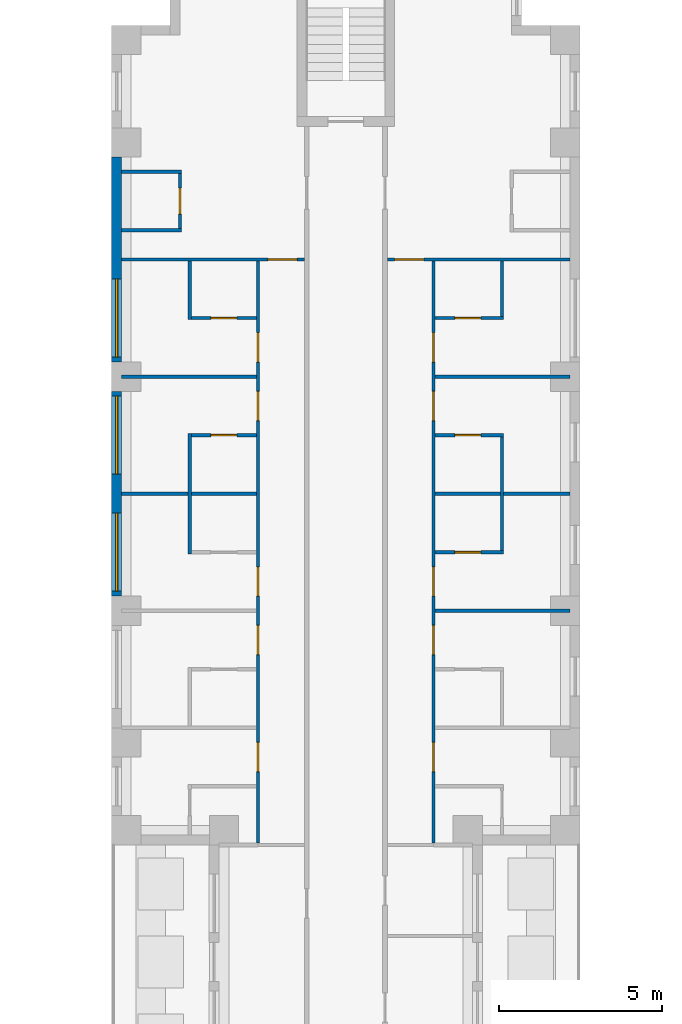
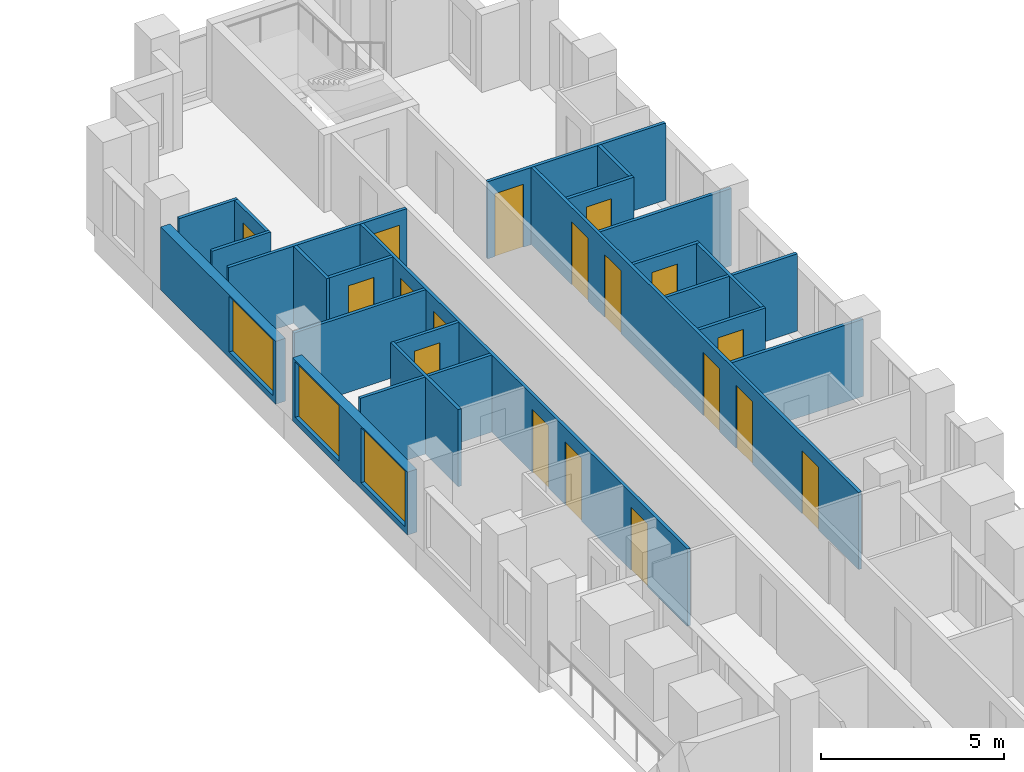
# One storey, part 11 of 15: 23 walls, 18 doors, 3 windows, 21 openings.
"""IFC4 building model written with IfcOpenShell, lengths in metres."""

from ifc_helpers import new_model, si_unit, direction, frame, frame_2d, origin, place, context, subcontext, project, spatial, rectangle, extrude, material, layer, layer_set, type_object, element, fill, save


model = new_model("IFC4")

# Units and contexts
model_context = context("Model", 3, precision=1e-05, world=origin(), true_north=direction((0.0, 1.0)))
body_context = subcontext(model_context, "Body", "Model", "MODEL_VIEW")
ifc_project = project(units=[si_unit("LENGTHUNIT", "METRE"), si_unit("AREAUNIT", "SQUARE_METRE"), si_unit("VOLUMEUNIT", "CUBIC_METRE"), si_unit("PLANEANGLEUNIT", "RADIAN"), si_unit("MASSUNIT", "GRAM", prefix="KILO")], contexts=[model_context])

# Site, building, storey
site_placement = place(None, origin())
site = spatial("IfcSite", under=ifc_project, at=site_placement, CompositionType="ELEMENT")
building_placement = place(site_placement, origin())
building = spatial("IfcBuilding", under=site, at=building_placement, Name="Fustian Cross Tower", CompositionType="ELEMENT")
storey_placement = place(building_placement, frame((0.0, 0.0, 17.699951171875)))
storey = spatial("IfcBuildingStorey", under=building, at=storey_placement, Name="L04", CompositionType="ELEMENT", Elevation=17.699951171875)

# Walls
ifc_material_1 = material(Name="Plasterboard on steel stud", Category="steel")
ifc_layer_1 = layer(ifc_material_1, 0.10009765625)
ifc_layer_set_1 = layer_set([ifc_layer_1], Name="Plasterboard on steel stud")
wall_type_1 = type_object("IfcWallType", Name="PARTITION 100 STUD", PredefinedType="PARTITIONING", material=ifc_layer_set_1)
for number, where, z_axis, x_axis, name in (
    (1, (-6.89990234375, 25.199951171875, 0.0), (0.0, 0.0, 1.0), (1.0, 0.0, 0.0), "Partition 19"),
    (2, (-6.89990234375, 28.800048828125, 0.0), (0.0, 0.0, 1.0), (1.0, 0.0, 0.0), "Partition 20"),
):
    element("IfcWall", number, at=place(storey_placement, frame(where, z_axis=z_axis, x_axis=x_axis)), inside=storey, type_object=wall_type_1, Name=name, PredefinedType="PARTITIONING", context=body_context, shape_type="SweptSolid", body=[
        extrude(rectangle(XDim=4.14990234375, YDim=0.10009765625, at=frame_2d((2.074951171875, 0.0))), origin(), (0.0, 0.0, 1.0), 2.574951171875),
    ])

# Wall, opening, door
wall_1_placement = place(storey_placement, frame((-6.89990234375, 32.39990234375, 0.0), z_axis=(0.0, 0.0, 1.0), x_axis=(1.0, 0.0, 0.0)))
wall_1 = element("IfcWall", 3, at=wall_1_placement, inside=storey, type_object=wall_type_1, Name="Partition 21", PredefinedType="PARTITIONING", context=body_context, shape_type="SweptSolid", body=[
    extrude(rectangle(XDim=5.625, YDim=0.10009765625, at=frame_2d((2.8125, 0.0))), origin(), (0.0, 0.0, 1.0), 2.574951171875),
])
opening_1_placement = place(wall_1_placement, frame((4.5, 0.0, 0.0)))
opening_1 = element("IfcOpeningElement", 4, at=opening_1_placement, cuts=wall_1, Name="Opening D04027", PredefinedType="OPENING", context=body_context, shape_type="SweptSolid", body=[
    extrude(rectangle(XDim=0.89990234375, YDim=2.10009765625, at=frame_2d((0.449951171875, 1.050048828125))), frame((0.0, 0.06005859375, 0.0), z_axis=(0.0, -1.0, 0.0), x_axis=(1.0, 0.0, 0.0)), (0.0, 0.0, 1.0), 0.1201171875),
])
ifc_material_2 = material(Name="Painted timber", Category="wood")
door_type_1 = type_object("IfcDoorType", Name="SWING DOOR 900", OperationType="SINGLE_SWING_LEFT", PredefinedType="DOOR", material=ifc_material_2)
door_1_placement = place(opening_1_placement, frame((0.89990234375, 0.0, 0.0), z_axis=(0.0, 0.0, 1.0), x_axis=(-1.0, 0.0, 0.0)))
door_1 = element("IfcDoor", 5, at=door_1_placement, inside=storey, type_object=door_type_1, Name="Door D04027", OperationType="SINGLE_SWING_RIGHT", OverallHeight=2.10009765625, OverallWidth=0.89990234375, PredefinedType="DOOR", context=body_context, shape_type="SweptSolid", body=[
    extrude(rectangle(XDim=0.89990234375, YDim=2.10009765625, at=frame_2d((0.449951171875, 1.050048828125))), frame((0.0, 0.02490234375, 0.0), z_axis=(0.0, -1.0, 0.0), x_axis=(1.0, 0.0, 0.0)), (0.0, 0.0, 1.0), 0.050048828125),
])
fill(opening_1, door_1)

# Walls
for number, where, z_axis, x_axis, name in (
    (6, (-6.89990234375, 33.300048828125, 0.0), (0.0, 0.0, 1.0), (1.0, 0.0, 0.0), "Partition 22"),
    (7, (-6.89990234375, 35.10009765625, 0.0), (0.0, 0.0, 1.0), (1.0, 0.0, 0.0), "Partition 23"),
):
    element("IfcWall", number, at=place(storey_placement, frame(where, z_axis=z_axis, x_axis=x_axis)), inside=storey, type_object=wall_type_1, Name=name, PredefinedType="PARTITIONING", context=body_context, shape_type="SweptSolid", body=[
        extrude(rectangle(XDim=1.849853515625, YDim=0.10009765625, at=frame_2d((0.9248046875, 0.0))), origin(), (0.0, 0.0, 1.0), 2.574951171875),
    ])

# Wall, opening, door
wall_2_placement = place(storey_placement, frame((-5.10009765625, 33.35009765625, 0.0), z_axis=(0.0, 0.0, 1.0), x_axis=(0.0, 1.0, 0.0)))
wall_2 = element("IfcWall", 8, at=wall_2_placement, inside=storey, type_object=wall_type_1, Name="Partition 25", PredefinedType="PARTITIONING", context=body_context, shape_type="SweptSolid", body=[
    extrude(rectangle(XDim=1.699951171875, YDim=0.10009765625, at=frame_2d((0.85009765625, 0.0))), origin(), (0.0, 0.0, 1.0), 2.574951171875),
])
opening_2_placement = place(wall_2_placement, frame((0.449951171875, 0.0, 0.0)))
opening_2 = element("IfcOpeningElement", 9, at=opening_2_placement, cuts=wall_2, Name="Opening D04020", PredefinedType="OPENING", context=body_context, shape_type="SweptSolid", body=[
    extrude(rectangle(XDim=0.800048828125, YDim=2.10009765625, at=frame_2d((0.39990234375, 1.050048828125))), frame((0.0, 0.06005859375, 0.0), z_axis=(0.0, -1.0, 0.0), x_axis=(1.0, 0.0, 0.0)), (0.0, 0.0, 1.0), 0.1201171875),
])
ifc_material_3 = material(Name="Painted timber", Category="wood")
door_type_2 = type_object("IfcDoorType", Name="SWING DOOR 800", OperationType="SINGLE_SWING_LEFT", PredefinedType="DOOR", material=ifc_material_3)
door_2_placement = place(opening_2_placement, origin())
door_2 = element("IfcDoor", 10, at=door_2_placement, inside=storey, type_object=door_type_2, Name="Door D04020", OperationType="SINGLE_SWING_RIGHT", OverallHeight=2.10009765625, OverallWidth=0.800048828125, PredefinedType="DOOR", context=body_context, shape_type="SweptSolid", body=[
    extrude(rectangle(XDim=0.800048828125, YDim=2.10009765625, at=frame_2d((0.39990234375, 1.050048828125))), frame((0.0, 0.02490234375, 0.0), z_axis=(0.0, -1.0, 0.0), x_axis=(1.0, 0.0, 0.0)), (0.0, 0.0, 1.0), 0.050048828125),
])
fill(opening_2, door_2)

# Wall
wall_3_placement = place(storey_placement, frame((-4.800048828125, 23.35009765625, 0.0), z_axis=(0.0, 0.0, 1.0), x_axis=(0.0, 1.0, 0.0)))
element("IfcWall", 11, at=wall_3_placement, inside=storey, type_object=wall_type_1, Name="Partition 39", PredefinedType="PARTITIONING", context=body_context, shape_type="SweptSolid", body=[
    extrude(rectangle(XDim=3.699951171875, YDim=0.10009765625, at=frame_2d((1.85009765625, 0.0))), origin(), (0.0, 0.0, 1.0), 2.574951171875),
])

# Wall, opening, door
wall_4_placement = place(storey_placement, frame((-4.75, 27.0, 0.0), z_axis=(0.0, 0.0, 1.0), x_axis=(1.0, 0.0, 0.0)))
wall_4 = element("IfcWall", 12, at=wall_4_placement, inside=storey, type_object=wall_type_1, Name="Partition 41", PredefinedType="PARTITIONING", context=body_context, shape_type="SweptSolid", body=[
    extrude(rectangle(XDim=2.0, YDim=0.10009765625, at=frame_2d((1.0, 0.0))), origin(), (0.0, 0.0, 1.0), 2.574951171875),
])
opening_3_placement = place(wall_4_placement, frame((0.60009765625, 0.0, 0.0)))
opening_3 = element("IfcOpeningElement", 13, at=opening_3_placement, cuts=wall_4, Name="Opening D04031", PredefinedType="OPENING", context=body_context, shape_type="SweptSolid", body=[
    extrude(rectangle(XDim=0.800048828125, YDim=2.10009765625, at=frame_2d((0.39990234375, 1.050048828125))), frame((0.0, 0.06005859375, 0.0), z_axis=(0.0, -1.0, 0.0), x_axis=(1.0, 0.0, 0.0)), (0.0, 0.0, 1.0), 0.1201171875),
])
door_3_placement = place(opening_3_placement, frame((0.800048828125, 0.0, 0.0), z_axis=(0.0, 0.0, 1.0), x_axis=(-1.0, 0.0, 0.0)))
door_3 = element("IfcDoor", 14, at=door_3_placement, inside=storey, type_object=door_type_2, Name="Door D04031", OperationType="SINGLE_SWING_RIGHT", OverallHeight=2.10009765625, OverallWidth=0.800048828125, PredefinedType="DOOR", context=body_context, shape_type="SweptSolid", body=[
    extrude(rectangle(XDim=0.800048828125, YDim=2.10009765625, at=frame_2d((0.39990234375, 1.050048828125))), frame((0.0, 0.02490234375, 0.0), z_axis=(0.0, -1.0, 0.0), x_axis=(1.0, 0.0, 0.0)), (0.0, 0.0, 1.0), 0.050048828125),
])
fill(opening_3, door_3)

# Wall
wall_5_placement = place(storey_placement, frame((-4.800048828125, 30.550048828125, 0.0), z_axis=(0.0, 0.0, 1.0), x_axis=(0.0, 1.0, 0.0)))
element("IfcWall", 15, at=wall_5_placement, inside=storey, type_object=wall_type_1, Name="Partition 42", PredefinedType="PARTITIONING", context=body_context, shape_type="SweptSolid", body=[
    extrude(rectangle(XDim=1.800048828125, YDim=0.10009765625, at=frame_2d((0.89990234375, 0.0))), origin(), (0.0, 0.0, 1.0), 2.574951171875),
])

# Wall, opening, door
wall_6_placement = place(storey_placement, frame((-4.75, 30.60009765625, 0.0), z_axis=(0.0, 0.0, 1.0), x_axis=(1.0, 0.0, 0.0)))
wall_6 = element("IfcWall", 16, at=wall_6_placement, inside=storey, type_object=wall_type_1, Name="Partition 43", PredefinedType="PARTITIONING", context=body_context, shape_type="SweptSolid", body=[
    extrude(rectangle(XDim=2.0, YDim=0.10009765625, at=frame_2d((1.0, 0.0))), origin(), (0.0, 0.0, 1.0), 2.574951171875),
])
opening_4_placement = place(wall_6_placement, frame((0.60009765625, 0.0, 0.0)))
opening_4 = element("IfcOpeningElement", 17, at=opening_4_placement, cuts=wall_6, Name="Opening D04032", PredefinedType="OPENING", context=body_context, shape_type="SweptSolid", body=[
    extrude(rectangle(XDim=0.800048828125, YDim=2.10009765625, at=frame_2d((0.39990234375, 1.050048828125))), frame((0.0, 0.06005859375, 0.0), z_axis=(0.0, -1.0, 0.0), x_axis=(1.0, 0.0, 0.0)), (0.0, 0.0, 1.0), 0.1201171875),
])
door_4_placement = place(opening_4_placement, origin())
door_4 = element("IfcDoor", 18, at=door_4_placement, inside=storey, type_object=door_type_2, Name="Door D04032", OperationType="SINGLE_SWING_LEFT", OverallHeight=2.10009765625, OverallWidth=0.800048828125, PredefinedType="DOOR", context=body_context, shape_type="SweptSolid", body=[
    extrude(rectangle(XDim=0.800048828125, YDim=2.10009765625, at=frame_2d((0.39990234375, 1.050048828125))), frame((0.0, 0.02490234375, 0.0), z_axis=(0.0, -1.0, 0.0), x_axis=(1.0, 0.0, 0.0)), (0.0, 0.0, 1.0), 0.050048828125),
])
fill(opening_4, door_4)

# Wall, openings, doors
wall_7_placement = place(storey_placement, frame((-2.699951171875, 14.46240234375, 0.0), z_axis=(0.0, 0.0, 1.0), x_axis=(0.0, 1.0, 0.0)))
wall_7 = element("IfcWall", 19, at=wall_7_placement, inside=storey, type_object=wall_type_1, Name="Partition 52", PredefinedType="PARTITIONING", context=body_context, shape_type="SweptSolid", body=[
    extrude(rectangle(XDim=17.8876953125, YDim=0.10009765625, at=frame_2d((8.94384765625, 0.0))), origin(), (0.0, 0.0, 1.0), 2.574951171875),
])
opening_5_placement = place(wall_7_placement, frame((2.1875, 0.0, 0.0)))
opening_5 = element("IfcOpeningElement", 20, at=opening_5_placement, cuts=wall_7, Name="Opening D04022", PredefinedType="OPENING", context=body_context, shape_type="SweptSolid", body=[
    extrude(rectangle(XDim=0.89990234375, YDim=2.10009765625, at=frame_2d((0.449951171875, 1.050048828125))), frame((0.0, 0.06005859375, 0.0), z_axis=(0.0, -1.0, 0.0), x_axis=(1.0, 0.0, 0.0)), (0.0, 0.0, 1.0), 0.1201171875),
])
opening_6_placement = place(wall_7_placement, frame((5.78759765625, 0.0, 0.0)))
opening_6 = element("IfcOpeningElement", 21, at=opening_6_placement, cuts=wall_7, Name="Opening D04023", PredefinedType="OPENING", context=body_context, shape_type="SweptSolid", body=[
    extrude(rectangle(XDim=0.89990234375, YDim=2.10009765625, at=frame_2d((0.449951171875, 1.050048828125))), frame((0.0, 0.06005859375, 0.0), z_axis=(0.0, -1.0, 0.0), x_axis=(1.0, 0.0, 0.0)), (0.0, 0.0, 1.0), 0.1201171875),
])
opening_7_placement = place(wall_7_placement, frame((7.58740234375, 0.0, 0.0)))
opening_7 = element("IfcOpeningElement", 22, at=opening_7_placement, cuts=wall_7, Name="Opening D04024", PredefinedType="OPENING", context=body_context, shape_type="SweptSolid", body=[
    extrude(rectangle(XDim=0.89990234375, YDim=2.10009765625, at=frame_2d((0.449951171875, 1.050048828125))), frame((0.0, 0.06005859375, 0.0), z_axis=(0.0, -1.0, 0.0), x_axis=(1.0, 0.0, 0.0)), (0.0, 0.0, 1.0), 0.1201171875),
])
opening_8_placement = place(wall_7_placement, frame((12.987548828125, 0.0, 0.0)))
opening_8 = element("IfcOpeningElement", 23, at=opening_8_placement, cuts=wall_7, Name="Opening D04025", PredefinedType="OPENING", context=body_context, shape_type="SweptSolid", body=[
    extrude(rectangle(XDim=0.89990234375, YDim=2.10009765625, at=frame_2d((0.449951171875, 1.050048828125))), frame((0.0, 0.06005859375, 0.0), z_axis=(0.0, -1.0, 0.0), x_axis=(1.0, 0.0, 0.0)), (0.0, 0.0, 1.0), 0.1201171875),
])
opening_9_placement = place(wall_7_placement, frame((14.78759765625, 0.0, 0.0)))
opening_9 = element("IfcOpeningElement", 24, at=opening_9_placement, cuts=wall_7, Name="Opening D04026", PredefinedType="OPENING", context=body_context, shape_type="SweptSolid", body=[
    extrude(rectangle(XDim=0.89990234375, YDim=2.10009765625, at=frame_2d((0.449951171875, 1.050048828125))), frame((0.0, 0.06005859375, 0.0), z_axis=(0.0, -1.0, 0.0), x_axis=(1.0, 0.0, 0.0)), (0.0, 0.0, 1.0), 0.1201171875),
])
door_5_placement = place(opening_5_placement, origin())
door_5 = element("IfcDoor", 25, at=door_5_placement, inside=storey, type_object=door_type_1, Name="Door D04022", OperationType="SINGLE_SWING_LEFT", OverallHeight=2.10009765625, OverallWidth=0.89990234375, PredefinedType="DOOR", context=body_context, shape_type="SweptSolid", body=[
    extrude(rectangle(XDim=0.89990234375, YDim=2.10009765625, at=frame_2d((0.449951171875, 1.050048828125))), frame((0.0, 0.02490234375, 0.0), z_axis=(0.0, -1.0, 0.0), x_axis=(1.0, 0.0, 0.0)), (0.0, 0.0, 1.0), 0.050048828125),
])
fill(opening_5, door_5)
door_6_placement = place(opening_6_placement, origin())
door_6 = element("IfcDoor", 26, at=door_6_placement, inside=storey, type_object=door_type_1, Name="Door D04023", OperationType="SINGLE_SWING_LEFT", OverallHeight=2.10009765625, OverallWidth=0.89990234375, PredefinedType="DOOR", context=body_context, shape_type="SweptSolid", body=[
    extrude(rectangle(XDim=0.89990234375, YDim=2.10009765625, at=frame_2d((0.449951171875, 1.050048828125))), frame((0.0, 0.02490234375, 0.0), z_axis=(0.0, -1.0, 0.0), x_axis=(1.0, 0.0, 0.0)), (0.0, 0.0, 1.0), 0.050048828125),
])
fill(opening_6, door_6)
door_7_placement = place(opening_7_placement, origin())
door_7 = element("IfcDoor", 27, at=door_7_placement, inside=storey, type_object=door_type_1, Name="Door D04024", OperationType="SINGLE_SWING_LEFT", OverallHeight=2.10009765625, OverallWidth=0.89990234375, PredefinedType="DOOR", context=body_context, shape_type="SweptSolid", body=[
    extrude(rectangle(XDim=0.89990234375, YDim=2.10009765625, at=frame_2d((0.449951171875, 1.050048828125))), frame((0.0, 0.02490234375, 0.0), z_axis=(0.0, -1.0, 0.0), x_axis=(1.0, 0.0, 0.0)), (0.0, 0.0, 1.0), 0.050048828125),
])
fill(opening_7, door_7)
door_8_placement = place(opening_8_placement, origin())
door_8 = element("IfcDoor", 28, at=door_8_placement, inside=storey, type_object=door_type_1, Name="Door D04025", OperationType="SINGLE_SWING_LEFT", OverallHeight=2.10009765625, OverallWidth=0.89990234375, PredefinedType="DOOR", context=body_context, shape_type="SweptSolid", body=[
    extrude(rectangle(XDim=0.89990234375, YDim=2.10009765625, at=frame_2d((0.449951171875, 1.050048828125))), frame((0.0, 0.02490234375, 0.0), z_axis=(0.0, -1.0, 0.0), x_axis=(1.0, 0.0, 0.0)), (0.0, 0.0, 1.0), 0.050048828125),
])
fill(opening_8, door_8)
door_9_placement = place(opening_9_placement, origin())
door_9 = element("IfcDoor", 29, at=door_9_placement, inside=storey, type_object=door_type_1, Name="Door D04026", OperationType="SINGLE_SWING_LEFT", OverallHeight=2.10009765625, OverallWidth=0.89990234375, PredefinedType="DOOR", context=body_context, shape_type="SweptSolid", body=[
    extrude(rectangle(XDim=0.89990234375, YDim=2.10009765625, at=frame_2d((0.449951171875, 1.050048828125))), frame((0.0, 0.02490234375, 0.0), z_axis=(0.0, -1.0, 0.0), x_axis=(1.0, 0.0, 0.0)), (0.0, 0.0, 1.0), 0.050048828125),
])
fill(opening_9, door_9)

# Wall, opening, door
wall_8_placement = place(storey_placement, frame((1.27490234375, 32.39990234375, 0.0), z_axis=(0.0, 0.0, 1.0), x_axis=(1.0, 0.0, 0.0)))
wall_8 = element("IfcWall", 30, at=wall_8_placement, inside=storey, type_object=wall_type_1, Name="Partition 69", PredefinedType="PARTITIONING", context=body_context, shape_type="SweptSolid", body=[
    extrude(rectangle(XDim=5.625, YDim=0.10009765625, at=frame_2d((2.8125, 0.0))), origin(), (0.0, 0.0, 1.0), 2.574951171875),
])
opening_10_placement = place(wall_8_placement, frame((0.22509765625, 0.0, 0.0)))
opening_10 = element("IfcOpeningElement", 31, at=opening_10_placement, cuts=wall_8, Name="Opening D04037", PredefinedType="OPENING", context=body_context, shape_type="SweptSolid", body=[
    extrude(rectangle(XDim=0.89990234375, YDim=2.10009765625, at=frame_2d((0.449951171875, 1.050048828125))), frame((0.0, 0.06005859375, 0.0), z_axis=(0.0, -1.0, 0.0), x_axis=(1.0, 0.0, 0.0)), (0.0, 0.0, 1.0), 0.1201171875),
])
door_10_placement = place(opening_10_placement, frame((0.89990234375, 0.0, 0.0), z_axis=(0.0, 0.0, 1.0), x_axis=(-1.0, 0.0, 0.0)))
door_10 = element("IfcDoor", 32, at=door_10_placement, inside=storey, type_object=door_type_1, Name="Door D04037", OperationType="SINGLE_SWING_RIGHT", OverallHeight=2.10009765625, OverallWidth=0.89990234375, PredefinedType="DOOR", context=body_context, shape_type="SweptSolid", body=[
    extrude(rectangle(XDim=0.89990234375, YDim=2.10009765625, at=frame_2d((0.449951171875, 1.050048828125))), frame((0.0, 0.02490234375, 0.0), z_axis=(0.0, -1.0, 0.0), x_axis=(1.0, 0.0, 0.0)), (0.0, 0.0, 1.0), 0.050048828125),
])
fill(opening_10, door_10)

# Wall, openings, doors
wall_9_placement = place(storey_placement, frame((2.699951171875, 14.46240234375, 0.0), z_axis=(0.0, 0.0, 1.0), x_axis=(0.0, 1.0, 0.0)))
wall_9 = element("IfcWall", 33, at=wall_9_placement, inside=storey, type_object=wall_type_1, Name="Partition 74", PredefinedType="PARTITIONING", context=body_context, shape_type="SweptSolid", body=[
    extrude(rectangle(XDim=17.8876953125, YDim=0.10009765625, at=frame_2d((8.94384765625, 0.0))), origin(), (0.0, 0.0, 1.0), 2.574951171875),
])
opening_11_placement = place(wall_9_placement, frame((2.1875, 0.0, 0.0)))
opening_11 = element("IfcOpeningElement", 34, at=opening_11_placement, cuts=wall_9, Name="Opening D04038", PredefinedType="OPENING", context=body_context, shape_type="SweptSolid", body=[
    extrude(rectangle(XDim=0.89990234375, YDim=2.10009765625, at=frame_2d((0.449951171875, 1.050048828125))), frame((0.0, 0.06005859375, 0.0), z_axis=(0.0, -1.0, 0.0), x_axis=(1.0, 0.0, 0.0)), (0.0, 0.0, 1.0), 0.1201171875),
])
opening_12_placement = place(wall_9_placement, frame((5.78759765625, 0.0, 0.0)))
opening_12 = element("IfcOpeningElement", 35, at=opening_12_placement, cuts=wall_9, Name="Opening D04039", PredefinedType="OPENING", context=body_context, shape_type="SweptSolid", body=[
    extrude(rectangle(XDim=0.89990234375, YDim=2.10009765625, at=frame_2d((0.449951171875, 1.050048828125))), frame((0.0, 0.06005859375, 0.0), z_axis=(0.0, -1.0, 0.0), x_axis=(1.0, 0.0, 0.0)), (0.0, 0.0, 1.0), 0.1201171875),
])
opening_13_placement = place(wall_9_placement, frame((7.58740234375, 0.0, 0.0)))
opening_13 = element("IfcOpeningElement", 36, at=opening_13_placement, cuts=wall_9, Name="Opening D04040", PredefinedType="OPENING", context=body_context, shape_type="SweptSolid", body=[
    extrude(rectangle(XDim=0.89990234375, YDim=2.10009765625, at=frame_2d((0.449951171875, 1.050048828125))), frame((0.0, 0.06005859375, 0.0), z_axis=(0.0, -1.0, 0.0), x_axis=(1.0, 0.0, 0.0)), (0.0, 0.0, 1.0), 0.1201171875),
])
opening_14_placement = place(wall_9_placement, frame((12.987548828125, 0.0, 0.0)))
opening_14 = element("IfcOpeningElement", 37, at=opening_14_placement, cuts=wall_9, Name="Opening D04041", PredefinedType="OPENING", context=body_context, shape_type="SweptSolid", body=[
    extrude(rectangle(XDim=0.89990234375, YDim=2.10009765625, at=frame_2d((0.449951171875, 1.050048828125))), frame((0.0, 0.06005859375, 0.0), z_axis=(0.0, -1.0, 0.0), x_axis=(1.0, 0.0, 0.0)), (0.0, 0.0, 1.0), 0.1201171875),
])
opening_15_placement = place(wall_9_placement, frame((14.78759765625, 0.0, 0.0)))
opening_15 = element("IfcOpeningElement", 38, at=opening_15_placement, cuts=wall_9, Name="Opening D04042", PredefinedType="OPENING", context=body_context, shape_type="SweptSolid", body=[
    extrude(rectangle(XDim=0.89990234375, YDim=2.10009765625, at=frame_2d((0.449951171875, 1.050048828125))), frame((0.0, 0.06005859375, 0.0), z_axis=(0.0, -1.0, 0.0), x_axis=(1.0, 0.0, 0.0)), (0.0, 0.0, 1.0), 0.1201171875),
])
door_11_placement = place(opening_11_placement, frame((0.89990234375, 0.0, 0.0), z_axis=(0.0, 0.0, 1.0), x_axis=(-1.0, 0.0, 0.0)))
door_11 = element("IfcDoor", 39, at=door_11_placement, inside=storey, type_object=door_type_1, Name="Door D04038", OperationType="SINGLE_SWING_RIGHT", OverallHeight=2.10009765625, OverallWidth=0.89990234375, PredefinedType="DOOR", context=body_context, shape_type="SweptSolid", body=[
    extrude(rectangle(XDim=0.89990234375, YDim=2.10009765625, at=frame_2d((0.449951171875, 1.050048828125))), frame((0.0, 0.02490234375, 0.0), z_axis=(0.0, -1.0, 0.0), x_axis=(1.0, 0.0, 0.0)), (0.0, 0.0, 1.0), 0.050048828125),
])
fill(opening_11, door_11)
door_12_placement = place(opening_12_placement, frame((0.89990234375, 0.0, 0.0), z_axis=(0.0, 0.0, 1.0), x_axis=(-1.0, 0.0, 0.0)))
door_12 = element("IfcDoor", 40, at=door_12_placement, inside=storey, type_object=door_type_1, Name="Door D04039", OperationType="SINGLE_SWING_RIGHT", OverallHeight=2.10009765625, OverallWidth=0.89990234375, PredefinedType="DOOR", context=body_context, shape_type="SweptSolid", body=[
    extrude(rectangle(XDim=0.89990234375, YDim=2.10009765625, at=frame_2d((0.449951171875, 1.050048828125))), frame((0.0, 0.02490234375, 0.0), z_axis=(0.0, -1.0, 0.0), x_axis=(1.0, 0.0, 0.0)), (0.0, 0.0, 1.0), 0.050048828125),
])
fill(opening_12, door_12)
door_13_placement = place(opening_13_placement, frame((0.89990234375, 0.0, 0.0), z_axis=(0.0, 0.0, 1.0), x_axis=(-1.0, 0.0, 0.0)))
door_13 = element("IfcDoor", 41, at=door_13_placement, inside=storey, type_object=door_type_1, Name="Door D04040", OperationType="SINGLE_SWING_RIGHT", OverallHeight=2.10009765625, OverallWidth=0.89990234375, PredefinedType="DOOR", context=body_context, shape_type="SweptSolid", body=[
    extrude(rectangle(XDim=0.89990234375, YDim=2.10009765625, at=frame_2d((0.449951171875, 1.050048828125))), frame((0.0, 0.02490234375, 0.0), z_axis=(0.0, -1.0, 0.0), x_axis=(1.0, 0.0, 0.0)), (0.0, 0.0, 1.0), 0.050048828125),
])
fill(opening_13, door_13)
door_14_placement = place(opening_14_placement, frame((0.89990234375, 0.0, 0.0), z_axis=(0.0, 0.0, 1.0), x_axis=(-1.0, 0.0, 0.0)))
door_14 = element("IfcDoor", 42, at=door_14_placement, inside=storey, type_object=door_type_1, Name="Door D04041", OperationType="SINGLE_SWING_RIGHT", OverallHeight=2.10009765625, OverallWidth=0.89990234375, PredefinedType="DOOR", context=body_context, shape_type="SweptSolid", body=[
    extrude(rectangle(XDim=0.89990234375, YDim=2.10009765625, at=frame_2d((0.449951171875, 1.050048828125))), frame((0.0, 0.02490234375, 0.0), z_axis=(0.0, -1.0, 0.0), x_axis=(1.0, 0.0, 0.0)), (0.0, 0.0, 1.0), 0.050048828125),
])
fill(opening_14, door_14)
door_15_placement = place(opening_15_placement, frame((0.89990234375, 0.0, 0.0), z_axis=(0.0, 0.0, 1.0), x_axis=(-1.0, 0.0, 0.0)))
door_15 = element("IfcDoor", 43, at=door_15_placement, inside=storey, type_object=door_type_1, Name="Door D04042", OperationType="SINGLE_SWING_RIGHT", OverallHeight=2.10009765625, OverallWidth=0.89990234375, PredefinedType="DOOR", context=body_context, shape_type="SweptSolid", body=[
    extrude(rectangle(XDim=0.89990234375, YDim=2.10009765625, at=frame_2d((0.449951171875, 1.050048828125))), frame((0.0, 0.02490234375, 0.0), z_axis=(0.0, -1.0, 0.0), x_axis=(1.0, 0.0, 0.0)), (0.0, 0.0, 1.0), 0.050048828125),
])
fill(opening_15, door_15)

# Wall
wall_10_placement = place(storey_placement, frame((2.75, 21.60009765625, 0.0), z_axis=(0.0, 0.0, 1.0), x_axis=(1.0, 0.0, 0.0)))
element("IfcWall", 44, at=wall_10_placement, inside=storey, type_object=wall_type_1, Name="Partition 79", PredefinedType="PARTITIONING", context=body_context, shape_type="SweptSolid", body=[
    extrude(rectangle(XDim=4.14990234375, YDim=0.10009765625, at=frame_2d((2.074951171875, 0.0))), origin(), (0.0, 0.0, 1.0), 2.574951171875),
])

# Wall, opening, door
wall_11_placement = place(storey_placement, frame((2.75, 23.39990234375, 0.0), z_axis=(0.0, 0.0, 1.0), x_axis=(1.0, 0.0, 0.0)))
wall_11 = element("IfcWall", 45, at=wall_11_placement, inside=storey, type_object=wall_type_1, Name="Partition 80", PredefinedType="PARTITIONING", context=body_context, shape_type="SweptSolid", body=[
    extrude(rectangle(XDim=2.10009765625, YDim=0.10009765625, at=frame_2d((1.050048828125, 0.0))), origin(), (0.0, 0.0, 1.0), 2.574951171875),
])
opening_16_placement = place(wall_11_placement, frame((0.60009765625, 0.0, 0.0)))
opening_16 = element("IfcOpeningElement", 46, at=opening_16_placement, cuts=wall_11, Name="Opening D04045", PredefinedType="OPENING", context=body_context, shape_type="SweptSolid", body=[
    extrude(rectangle(XDim=0.800048828125, YDim=2.10009765625, at=frame_2d((0.39990234375, 1.050048828125))), frame((0.0, 0.06005859375, 0.0), z_axis=(0.0, -1.0, 0.0), x_axis=(1.0, 0.0, 0.0)), (0.0, 0.0, 1.0), 0.1201171875),
])
door_16_placement = place(opening_16_placement, origin())
door_16 = element("IfcDoor", 47, at=door_16_placement, inside=storey, type_object=door_type_2, Name="Door D04045", OperationType="SINGLE_SWING_LEFT", OverallHeight=2.10009765625, OverallWidth=0.800048828125, PredefinedType="DOOR", context=body_context, shape_type="SweptSolid", body=[
    extrude(rectangle(XDim=0.800048828125, YDim=2.10009765625, at=frame_2d((0.39990234375, 1.050048828125))), frame((0.0, 0.02490234375, 0.0), z_axis=(0.0, -1.0, 0.0), x_axis=(1.0, 0.0, 0.0)), (0.0, 0.0, 1.0), 0.050048828125),
])
fill(opening_16, door_16)

# Wall
wall_12_placement = place(storey_placement, frame((2.75, 25.199951171875, 0.0), z_axis=(0.0, 0.0, 1.0), x_axis=(1.0, 0.0, 0.0)))
element("IfcWall", 48, at=wall_12_placement, inside=storey, type_object=wall_type_1, Name="Partition 81", PredefinedType="PARTITIONING", context=body_context, shape_type="SweptSolid", body=[
    extrude(rectangle(XDim=4.14990234375, YDim=0.10009765625, at=frame_2d((2.074951171875, 0.0))), origin(), (0.0, 0.0, 1.0), 2.574951171875),
])

# Wall, opening, door
wall_13_placement = place(storey_placement, frame((2.75, 27.0, 0.0), z_axis=(0.0, 0.0, 1.0), x_axis=(1.0, 0.0, 0.0)))
wall_13 = element("IfcWall", 49, at=wall_13_placement, inside=storey, type_object=wall_type_1, Name="Partition 82", PredefinedType="PARTITIONING", context=body_context, shape_type="SweptSolid", body=[
    extrude(rectangle(XDim=2.10009765625, YDim=0.10009765625, at=frame_2d((1.050048828125, 0.0))), origin(), (0.0, 0.0, 1.0), 2.574951171875),
])
opening_17_placement = place(wall_13_placement, frame((0.60009765625, 0.0, 0.0)))
opening_17 = element("IfcOpeningElement", 50, at=opening_17_placement, cuts=wall_13, Name="Opening D04046", PredefinedType="OPENING", context=body_context, shape_type="SweptSolid", body=[
    extrude(rectangle(XDim=0.800048828125, YDim=2.10009765625, at=frame_2d((0.39990234375, 1.050048828125))), frame((0.0, 0.06005859375, 0.0), z_axis=(0.0, -1.0, 0.0), x_axis=(1.0, 0.0, 0.0)), (0.0, 0.0, 1.0), 0.1201171875),
])
door_17_placement = place(opening_17_placement, frame((0.800048828125, 0.0, 0.0), z_axis=(0.0, 0.0, 1.0), x_axis=(-1.0, 0.0, 0.0)))
door_17 = element("IfcDoor", 51, at=door_17_placement, inside=storey, type_object=door_type_2, Name="Door D04046", OperationType="SINGLE_SWING_RIGHT", OverallHeight=2.10009765625, OverallWidth=0.800048828125, PredefinedType="DOOR", context=body_context, shape_type="SweptSolid", body=[
    extrude(rectangle(XDim=0.800048828125, YDim=2.10009765625, at=frame_2d((0.39990234375, 1.050048828125))), frame((0.0, 0.02490234375, 0.0), z_axis=(0.0, -1.0, 0.0), x_axis=(1.0, 0.0, 0.0)), (0.0, 0.0, 1.0), 0.050048828125),
])
fill(opening_17, door_17)

# Wall
wall_14_placement = place(storey_placement, frame((2.75, 28.800048828125, 0.0), z_axis=(0.0, 0.0, 1.0), x_axis=(1.0, 0.0, 0.0)))
element("IfcWall", 52, at=wall_14_placement, inside=storey, type_object=wall_type_1, Name="Partition 83", PredefinedType="PARTITIONING", context=body_context, shape_type="SweptSolid", body=[
    extrude(rectangle(XDim=4.14990234375, YDim=0.10009765625, at=frame_2d((2.074951171875, 0.0))), origin(), (0.0, 0.0, 1.0), 2.574951171875),
])

# Wall, opening, door
wall_15_placement = place(storey_placement, frame((2.75, 30.60009765625, 0.0), z_axis=(0.0, 0.0, 1.0), x_axis=(1.0, 0.0, 0.0)))
wall_15 = element("IfcWall", 53, at=wall_15_placement, inside=storey, type_object=wall_type_1, Name="Partition 84", PredefinedType="PARTITIONING", context=body_context, shape_type="SweptSolid", body=[
    extrude(rectangle(XDim=2.10009765625, YDim=0.10009765625, at=frame_2d((1.050048828125, 0.0))), origin(), (0.0, 0.0, 1.0), 2.574951171875),
])
opening_18_placement = place(wall_15_placement, frame((0.60009765625, 0.0, 0.0)))
opening_18 = element("IfcOpeningElement", 54, at=opening_18_placement, cuts=wall_15, Name="Opening D04047", PredefinedType="OPENING", context=body_context, shape_type="SweptSolid", body=[
    extrude(rectangle(XDim=0.800048828125, YDim=2.10009765625, at=frame_2d((0.39990234375, 1.050048828125))), frame((0.0, 0.06005859375, 0.0), z_axis=(0.0, -1.0, 0.0), x_axis=(1.0, 0.0, 0.0)), (0.0, 0.0, 1.0), 0.1201171875),
])
door_18_placement = place(opening_18_placement, origin())
door_18 = element("IfcDoor", 55, at=door_18_placement, inside=storey, type_object=door_type_2, Name="Door D04047", OperationType="SINGLE_SWING_LEFT", OverallHeight=2.10009765625, OverallWidth=0.800048828125, PredefinedType="DOOR", context=body_context, shape_type="SweptSolid", body=[
    extrude(rectangle(XDim=0.800048828125, YDim=2.10009765625, at=frame_2d((0.39990234375, 1.050048828125))), frame((0.0, 0.02490234375, 0.0), z_axis=(0.0, -1.0, 0.0), x_axis=(1.0, 0.0, 0.0)), (0.0, 0.0, 1.0), 0.050048828125),
])
fill(opening_18, door_18)

# Walls
wall_16_placement = place(storey_placement, frame((4.800048828125, 23.449951171875, 0.0), z_axis=(0.0, 0.0, 1.0), x_axis=(0.0, 1.0, 0.0)))
element("IfcWall", 56, at=wall_16_placement, inside=storey, type_object=wall_type_1, Name="Partition 90", PredefinedType="PARTITIONING", context=body_context, shape_type="SweptSolid", body=[
    extrude(rectangle(XDim=3.5, YDim=0.10009765625, at=frame_2d((1.75, 0.0))), origin(), (0.0, 0.0, 1.0), 2.574951171875),
])
wall_17_placement = place(storey_placement, frame((4.800048828125, 30.64990234375, 0.0), z_axis=(0.0, 0.0, 1.0), x_axis=(0.0, 1.0, 0.0)))
element("IfcWall", 57, at=wall_17_placement, inside=storey, type_object=wall_type_1, Name="Partition 91", PredefinedType="PARTITIONING", context=body_context, shape_type="SweptSolid", body=[
    extrude(rectangle(XDim=1.7001953125, YDim=0.10009765625, at=frame_2d((0.85009765625, 0.0))), origin(), (0.0, 0.0, 1.0), 2.574951171875),
])

# Wall, opening, window
ifc_material_4 = material(Name="Dark aluminium cladding on insulated backing wall", Category="aluminium")
ifc_layer_2 = layer(ifc_material_4, 0.300048828125)
ifc_layer_set_2 = layer_set([ifc_layer_2], Name="Dark aluminium cladding on insulated backing wall")
wall_type_2 = type_object("IfcWallType", Name="XW1 EXTERNAL WALL 300", PredefinedType="SOLIDWALL", material=ifc_layer_set_2)
wall_18_placement = place(storey_placement, frame((-7.050048828125, 35.550048828125, 0.0), z_axis=(0.0, 0.0, 1.0), x_axis=(0.0, -1.0, 0.0)))
wall_18 = element("IfcWall", 58, at=wall_18_placement, inside=storey, type_object=wall_type_2, Name="External wall", PredefinedType="SOLIDWALL", context=body_context, shape_type="SweptSolid", body=[
    extrude(rectangle(XDim=6.300048828125, YDim=0.300048828125, at=frame_2d((3.14990234375, 0.0))), origin(), (0.0, 0.0, 1.0), 2.10009765625),
])
opening_19_placement = place(wall_18_placement, frame((3.75, 0.0, 0.199951171875)))
opening_19 = element("IfcOpeningElement", 59, at=opening_19_placement, cuts=wall_18, Name="Opening WN1", PredefinedType="OPENING", context=body_context, shape_type="SweptSolid", body=[
    extrude(rectangle(XDim=2.39990234375, YDim=1.85009765625, at=frame_2d((1.199951171875, 0.925048828125))), frame((0.0, 0.159912109375, 0.0), z_axis=(0.0, -1.0, 0.0), x_axis=(1.0, 0.0, 0.0)), (0.0, 0.0, 1.0), 0.320068359375),
])
ifc_material_5 = material(Name="Dark anodised aluminium and double glazing", Category="aluminium")
window_type = type_object("IfcWindowType", Name="WN1 WINDOW 2400X1850", PartitioningType="SINGLE_PANEL", PredefinedType="WINDOW", material=ifc_material_5)
window_1_placement = place(opening_19_placement, origin())
window_1 = element("IfcWindow", 60, at=window_1_placement, inside=storey, type_object=window_type, Name="Window", OverallHeight=1.85009765625, OverallWidth=2.39990234375, PartitioningType="SINGLE_PANEL", PredefinedType="WINDOW", context=body_context, shape_type="SweptSolid", body=[
    extrude(rectangle(XDim=2.39990234375, YDim=1.85009765625, at=frame_2d((1.199951171875, 0.925048828125))), frame((0.0, 0.030029296875, 0.0), z_axis=(0.0, -1.0, 0.0), x_axis=(1.0, 0.0, 0.0)), (0.0, 0.0, 1.0), 0.06005859375),
])
fill(opening_19, window_1)

# Wall, openings, windows
wall_19_placement = place(storey_placement, frame((-7.050048828125, 28.35009765625, 0.0), z_axis=(0.0, 0.0, 1.0), x_axis=(0.0, -1.0, 0.0)))
wall_19 = element("IfcWall", 61, at=wall_19_placement, inside=storey, type_object=wall_type_2, Name="External wall", PredefinedType="SOLIDWALL", context=body_context, shape_type="SweptSolid", body=[
    extrude(rectangle(XDim=6.300048828125, YDim=0.300048828125, at=frame_2d((3.14990234375, 0.0))), origin(), (0.0, 0.0, 1.0), 2.10009765625),
])
opening_20_placement = place(wall_19_placement, frame((0.14990234375, 0.0, 0.199951171875)))
opening_20 = element("IfcOpeningElement", 62, at=opening_20_placement, cuts=wall_19, Name="Opening WN1", PredefinedType="OPENING", context=body_context, shape_type="SweptSolid", body=[
    extrude(rectangle(XDim=2.39990234375, YDim=1.85009765625, at=frame_2d((1.199951171875, 0.925048828125))), frame((0.0, 0.159912109375, 0.0), z_axis=(0.0, -1.0, 0.0), x_axis=(1.0, 0.0, 0.0)), (0.0, 0.0, 1.0), 0.320068359375),
])
opening_21_placement = place(wall_19_placement, frame((3.75, 0.0, 0.199951171875)))
opening_21 = element("IfcOpeningElement", 63, at=opening_21_placement, cuts=wall_19, Name="Opening WN1", PredefinedType="OPENING", context=body_context, shape_type="SweptSolid", body=[
    extrude(rectangle(XDim=2.39990234375, YDim=1.85009765625, at=frame_2d((1.199951171875, 0.925048828125))), frame((0.0, 0.159912109375, 0.0), z_axis=(0.0, -1.0, 0.0), x_axis=(1.0, 0.0, 0.0)), (0.0, 0.0, 1.0), 0.320068359375),
])
window_2_placement = place(opening_20_placement, origin())
window_2 = element("IfcWindow", 64, at=window_2_placement, inside=storey, type_object=window_type, Name="Window", OverallHeight=1.85009765625, OverallWidth=2.39990234375, PartitioningType="SINGLE_PANEL", PredefinedType="WINDOW", context=body_context, shape_type="SweptSolid", body=[
    extrude(rectangle(XDim=2.39990234375, YDim=1.85009765625, at=frame_2d((1.199951171875, 0.925048828125))), frame((0.0, 0.030029296875, 0.0), z_axis=(0.0, -1.0, 0.0), x_axis=(1.0, 0.0, 0.0)), (0.0, 0.0, 1.0), 0.06005859375),
])
fill(opening_20, window_2)
window_3_placement = place(opening_21_placement, origin())
window_3 = element("IfcWindow", 65, at=window_3_placement, inside=storey, type_object=window_type, Name="Window", OverallHeight=1.85009765625, OverallWidth=2.39990234375, PartitioningType="SINGLE_PANEL", PredefinedType="WINDOW", context=body_context, shape_type="SweptSolid", body=[
    extrude(rectangle(XDim=2.39990234375, YDim=1.85009765625, at=frame_2d((1.199951171875, 0.925048828125))), frame((0.0, 0.030029296875, 0.0), z_axis=(0.0, -1.0, 0.0), x_axis=(1.0, 0.0, 0.0)), (0.0, 0.0, 1.0), 0.06005859375),
])
fill(opening_21, window_3)

save(model, "model.ifc")
